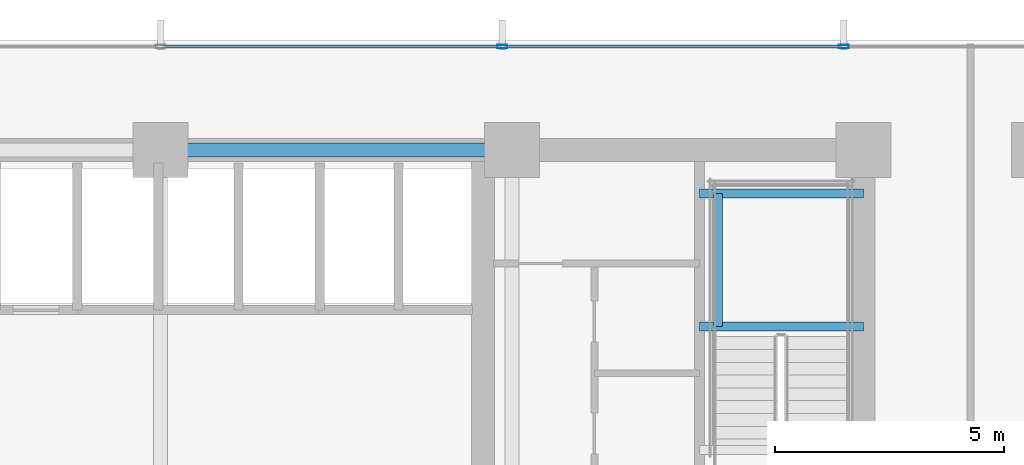
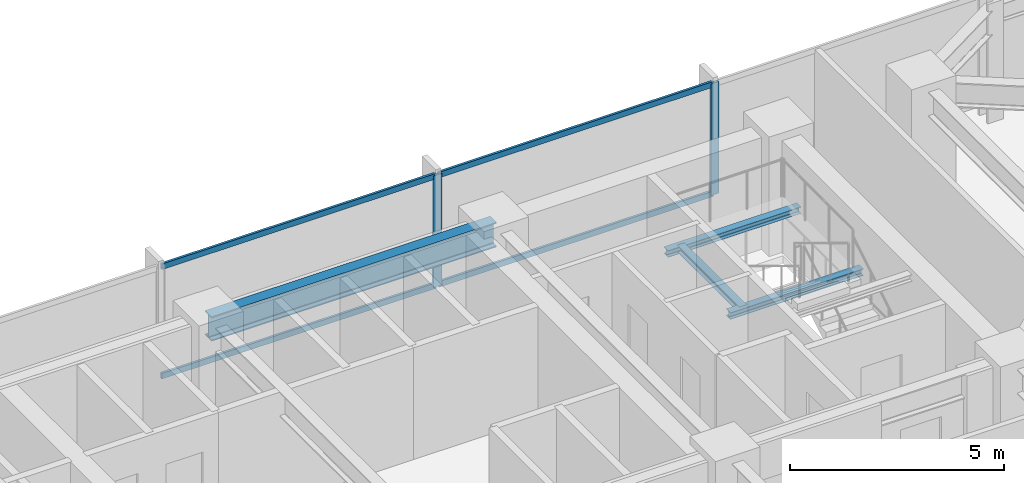
# One storey, part 19 of 32: 6 members, 4 beams, 1 element without a shape of its own.
"""IFC4 building model written with IfcOpenShell, lengths in metres."""

from ifc_helpers import new_model, si_unit, direction, frame, origin, origin_2d, place, context, subcontext, project, spatial, hollow_rectangle, i_section, extrude, material, material_profile, profile_set, type_object, element, aggregate, save


model = new_model("IFC4")

# Units and contexts
model_context = context("Model", 3, precision=1e-05, world=origin(), true_north=direction((0.0, 1.0)))
body_context = subcontext(model_context, "Body", "Model", "MODEL_VIEW")
ifc_project = project(units=[si_unit("LENGTHUNIT", "METRE"), si_unit("AREAUNIT", "SQUARE_METRE"), si_unit("VOLUMEUNIT", "CUBIC_METRE"), si_unit("PLANEANGLEUNIT", "RADIAN"), si_unit("MASSUNIT", "GRAM", prefix="KILO")], contexts=[model_context])

# Site, building, storey
site_placement = place(None, origin())
site = spatial("IfcSite", under=ifc_project, at=site_placement, CompositionType="ELEMENT")
building_placement = place(site_placement, origin())
building = spatial("IfcBuilding", under=site, at=building_placement, Name="Yelkora Congress Tower", CompositionType="ELEMENT")
storey_placement = place(building_placement, frame((0.0, 0.0, 61.0)))
storey = spatial("IfcBuildingStorey", under=building, at=storey_placement, Name="L15", CompositionType="ELEMENT", Elevation=61.0)

# Beams
ifc_material_1 = material(Name="Steel S355J2", Category="steel")
ifc_material_profile_1 = material_profile(ifc_material_1, i_section(OverallWidth=0.300048828125, OverallDepth=0.699951171875, WebThickness=0.01708984375, FlangeThickness=0.031982421875, FilletRadius=0.027099609375, at=origin_2d()), Name="HEB 700")
ifc_profile_set_1 = profile_set([ifc_material_profile_1], Name="Steel S355J2")
beam_type_1 = type_object("IfcBeamType", Name="BM-GIRD-HEB700", PredefinedType="BEAM", material=ifc_profile_set_1)
beam_1_placement = place(storey_placement, frame((38.39990234375, 46.199951171875, 2.830078125), z_axis=(1.0, 0.0, 0.0), x_axis=(0.0, 1.0, 0.0)))
element("IfcBeam", 1, at=beam_1_placement, inside=storey, type_object=beam_type_1, Name="L15 Core North Girder 4", PredefinedType="BEAM", context=body_context, shape_type="SweptSolid", body=[
    extrude(i_section(OverallWidth=0.300048828125, OverallDepth=0.699951171875, WebThickness=0.01708984375, FlangeThickness=0.031982421875, FilletRadius=0.027099609375, at=origin_2d()), origin(), (0.0, 0.0, 1.0), 7.68017578125),
])
ifc_material_profile_2 = material_profile(ifc_material_1, i_section(OverallWidth=0.199951171875, OverallDepth=0.18994140625, WebThickness=0.006591796875, FlangeThickness=0.010009765625, FilletRadius=0.01806640625, at=origin_2d()), Name="HEA 200")
ifc_profile_set_2 = profile_set([ifc_material_profile_2], Name="Steel S355J2")
beam_type_2 = type_object("IfcBeamType", Name="BM-LAND-HEA200", PredefinedType="BEAM", material=ifc_profile_set_2)
for number, where, z_axis, x_axis, name in (
    (2, (50.179931640625, 42.340087890625, 1.384521484375), (1.0, 0.0, 0.0), (0.0, 1.0, 0.0), "ST-02 L15 Landing Header Beam 1S"),
    (3, (50.179931640625, 45.25, 1.384521484375), (1.0, 0.0, 0.0), (0.0, 1.0, 0.0), "ST-02 L15 Landing Header Beam 1N"),
):
    element("IfcBeam", number, at=place(storey_placement, frame(where, z_axis=z_axis, x_axis=x_axis)), inside=storey, type_object=beam_type_2, Name=name, PredefinedType="BEAM", context=body_context, shape_type="SweptSolid", body=[
        extrude(i_section(OverallWidth=0.199951171875, OverallDepth=0.18994140625, WebThickness=0.006591796875, FlangeThickness=0.010009765625, FilletRadius=0.01806640625, at=origin_2d()), origin(), (0.0, 0.0, 1.0), 3.580078125),
    ])
beam_2_placement = place(storey_placement, frame((50.580078125, 42.340087890625, 1.384521484375), z_axis=(0.0, 1.0, 0.0), x_axis=(-1.0, 0.0, 0.0)))
element("IfcBeam", 4, at=beam_2_placement, inside=storey, type_object=beam_type_2, Name="ST-02 L15 Landing Trimmer Beam 1M", PredefinedType="BEAM", context=body_context, shape_type="SweptSolid", body=[
    extrude(i_section(OverallWidth=0.199951171875, OverallDepth=0.18994140625, WebThickness=0.006591796875, FlangeThickness=0.010009765625, FilletRadius=0.01806640625, at=origin_2d()), origin(), (0.0, 0.0, 1.0), 2.909912109375),
])

# Curtain wall, members
ifc_material_2 = material(Name="Anodised aluminium and insulated glass", Category="aluminium")
curtain_wall_type = type_object("IfcCurtainWallType", Name="CW-SYS-B1", PredefinedType="NOTDEFINED", material=ifc_material_2)
curtain_wall_placement = place(storey_placement, origin())
curtain_wall = element("IfcCurtainWall", 5, at=curtain_wall_placement, inside=storey, type_object=curtain_wall_type, Name="L15 Unitised Curtain Wall 10", PredefinedType="NOTDEFINED")
ifc_material_3 = material(Name="Anodised aluminium 6063-T6", Category="aluminium")
ifc_material_profile_3 = material_profile(ifc_material_3, hollow_rectangle(XDim=0.074951171875, YDim=0.219970703125, WallThickness=0.0048828125, at=origin_2d()), Name="ALU 75x220x5")
ifc_profile_set_3 = profile_set([ifc_material_profile_3], Name="Anodised aluminium 6063-T6")
member_type_1 = type_object("IfcMemberType", Name="MEM-ML-B1", PredefinedType="MULLION", material=ifc_profile_set_3)
member_1_placement = place(storey_placement, frame((45.864990234375, 48.4599609375, 0.0), z_axis=(0.0, 0.0, 1.0), x_axis=(0.0, 1.0, 0.0)))
member_1 = element("IfcMember", 6, at=member_1_placement, type_object=member_type_1, Name="CW-B1 mullion 6", PredefinedType="MULLION", context=body_context, shape_type="SweptSolid", body=[
    extrude(hollow_rectangle(XDim=0.074951171875, YDim=0.219970703125, WallThickness=0.0048828125, at=origin_2d()), origin(), (0.0, 0.0, 1.0), 3.179931640625),
])
member_2_placement = place(storey_placement, frame((53.330078125, 48.4599609375, 0.0), z_axis=(0.0, 0.0, 1.0), x_axis=(0.0, 1.0, 0.0)))
member_2 = element("IfcMember", 7, at=member_2_placement, type_object=member_type_1, Name="CW-B1 mullion 7", PredefinedType="MULLION", context=body_context, shape_type="SweptSolid", body=[
    extrude(hollow_rectangle(XDim=0.074951171875, YDim=0.219970703125, WallThickness=0.0048828125, at=origin_2d()), origin(), (0.0, 0.0, 1.0), 3.179931640625),
])
ifc_material_profile_4 = material_profile(ifc_material_3, hollow_rectangle(XDim=0.06494140625, YDim=0.159912109375, WallThickness=0.00390625, at=origin_2d()), Name="ALU 65x160x4")
ifc_profile_set_4 = profile_set([ifc_material_profile_4], Name="Anodised aluminium 6063-T6")
member_type_2 = type_object("IfcMemberType", Name="MEM-TR-B1", PredefinedType="USERDEFINED", material=ifc_profile_set_4)
member_3_placement = place(storey_placement, frame((38.4375, 48.4599609375, 0.032470703125), z_axis=(1.0, 0.0, 0.0), x_axis=(0.0, 1.0, 0.0)))
member_3 = element("IfcMember", 8, at=member_3_placement, type_object=member_type_2, Name="CW-B1 transom 5.1", ObjectType="TRANSOM", PredefinedType="USERDEFINED", context=body_context, shape_type="SweptSolid", body=[
    extrude(hollow_rectangle(XDim=0.06494140625, YDim=0.159912109375, WallThickness=0.00390625, at=origin_2d()), origin(), (0.0, 0.0, 1.0), 7.389892578125),
])
member_4_placement = place(storey_placement, frame((38.4375, 48.4599609375, 3.1474609375), z_axis=(1.0, 0.0, 0.0), x_axis=(0.0, 1.0, 0.0)))
member_4 = element("IfcMember", 9, at=member_4_placement, type_object=member_type_2, Name="CW-B1 transom 5.2", ObjectType="TRANSOM", PredefinedType="USERDEFINED", context=body_context, shape_type="SweptSolid", body=[
    extrude(hollow_rectangle(XDim=0.06494140625, YDim=0.159912109375, WallThickness=0.00390625, at=origin_2d()), origin(), (0.0, 0.0, 1.0), 7.389892578125),
])
member_5_placement = place(storey_placement, frame((45.902587890625, 48.4599609375, 0.032470703125), z_axis=(1.0, 0.0, 0.0), x_axis=(0.0, 1.0, 0.0)))
member_5 = element("IfcMember", 10, at=member_5_placement, type_object=member_type_2, Name="CW-B1 transom 6.1", ObjectType="TRANSOM", PredefinedType="USERDEFINED", context=body_context, shape_type="SweptSolid", body=[
    extrude(hollow_rectangle(XDim=0.06494140625, YDim=0.159912109375, WallThickness=0.00390625, at=origin_2d()), origin(), (0.0, 0.0, 1.0), 7.389892578125),
])
member_6_placement = place(storey_placement, frame((45.902587890625, 48.4599609375, 3.1474609375), z_axis=(1.0, 0.0, 0.0), x_axis=(0.0, 1.0, 0.0)))
member_6 = element("IfcMember", 11, at=member_6_placement, type_object=member_type_2, Name="CW-B1 transom 6.2", ObjectType="TRANSOM", PredefinedType="USERDEFINED", context=body_context, shape_type="SweptSolid", body=[
    extrude(hollow_rectangle(XDim=0.06494140625, YDim=0.159912109375, WallThickness=0.00390625, at=origin_2d()), origin(), (0.0, 0.0, 1.0), 7.389892578125),
])
aggregate(curtain_wall, [member_1, member_2, member_3, member_4, member_5, member_6])

save(model, "model.ifc")
